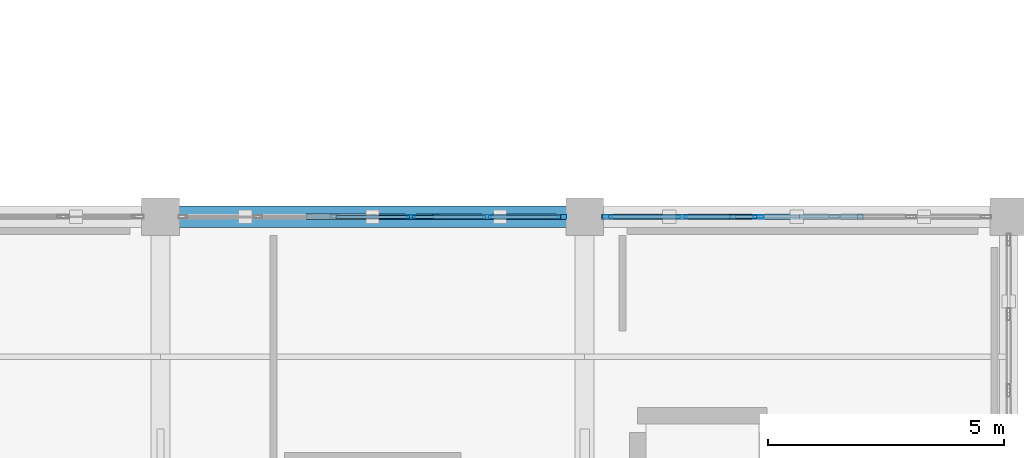
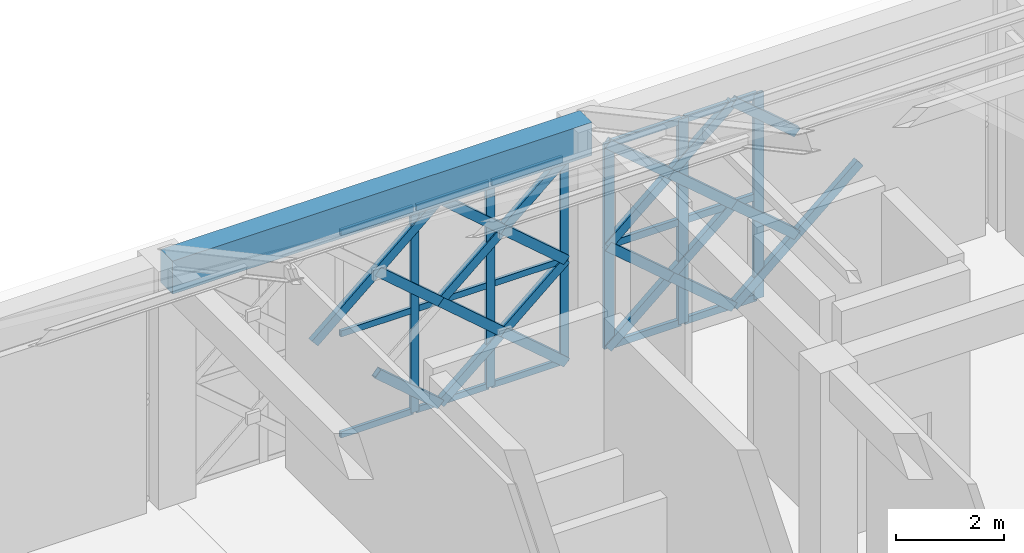
# One storey, part 59 of 86: 39 members, 1 beam, 2 elements without a shape of their own.
"""IFC4 building model written with IfcOpenShell, lengths in metres."""

from ifc_helpers import new_model, si_unit, direction, frame, origin, origin_2d, place, context, subcontext, project, spatial, rectangle, hollow_rectangle, extrude, material, material_profile, profile_set, type_object, element, aggregate, save


model = new_model("IFC4")

# Units and contexts
model_context = context("Model", 3, precision=1e-05, world=origin(), true_north=direction((0.0, 1.0)))
body_context = subcontext(model_context, "Body", "Model", "MODEL_VIEW")
ifc_project = project(units=[si_unit("LENGTHUNIT", "METRE"), si_unit("AREAUNIT", "SQUARE_METRE"), si_unit("VOLUMEUNIT", "CUBIC_METRE"), si_unit("PLANEANGLEUNIT", "RADIAN"), si_unit("MASSUNIT", "GRAM", prefix="KILO")], contexts=[model_context])

# Site, building, storey
site_placement = place(None, origin())
site = spatial("IfcSite", under=ifc_project, at=site_placement, CompositionType="ELEMENT")
building_placement = place(site_placement, origin())
building = spatial("IfcBuilding", under=site, at=building_placement, Name="Haizhuo Lancet Aquarium", CompositionType="ELEMENT")
storey_placement = place(building_placement, frame((0.0, 0.0, 16.199951171875)))
storey = spatial("IfcBuildingStorey", under=building, at=storey_placement, Name="L03", CompositionType="ELEMENT", Elevation=16.199951171875)

# Beam
ifc_material_1 = material(Name="Concrete C40/50", Category="concrete")
ifc_material_profile_1 = material_profile(ifc_material_1, rectangle(XDim=0.449951171875, YDim=0.75, at=origin_2d()), Name="RC-BM 450x750")
ifc_profile_set_1 = profile_set([ifc_material_profile_1], Name="Concrete C40/50")
beam_type = type_object("IfcBeamType", Name="BM-RC-450x750", PredefinedType="BEAM", material=ifc_profile_set_1)
beam_placement = place(storey_placement, frame((54.0, -9.0, 5.025146484375), z_axis=(1.0, 0.0, 0.0), x_axis=(0.0, 1.0, 0.0)))
element("IfcBeam", 1, at=beam_placement, inside=storey, type_object=beam_type, Name="L03 V3 primary girder BM-L03-V3-025", PredefinedType="BEAM", context=body_context, shape_type="SweptSolid", body=[
    extrude(rectangle(XDim=0.449951171875, YDim=0.75, at=origin_2d()), origin(), (0.0, 0.0, 1.0), 9.0),
])

# Curtain wall, members
ifc_material_2 = material(Name="Aluminium 6063-T6", Category="aluminium")
curtain_wall_type = type_object("IfcCurtainWallType", Name="CWO-8110x4650", PredefinedType="NOTDEFINED", material=ifc_material_2)
curtain_wall_1_placement = place(storey_placement, origin())
curtain_wall_1 = element("IfcCurtainWall", 2, at=curtain_wall_1_placement, inside=storey, type_object=curtain_wall_type, Name="L03 curtain wall CW-V3-L03-070", PredefinedType="NOTDEFINED")
ifc_material_profile_2 = material_profile(ifc_material_2, hollow_rectangle(XDim=0.06494140625, YDim=0.179931640625, WallThickness=0.00390625, at=origin_2d()), Name="ALU-M 65x180x4")
ifc_profile_set_2 = profile_set([ifc_material_profile_2], Name="Aluminium 6063-T6")
member_type_1 = type_object("IfcMemberType", Name="CW-MUL-1", PredefinedType="MULLION", material=ifc_profile_set_2)
member_1_placement = place(storey_placement, frame((59.31103515625, -9.0, 0.0), z_axis=(0.0, 0.0, 1.0), x_axis=(0.0, 1.0, 0.0)))
member_1 = element("IfcMember", 3, at=member_1_placement, type_object=member_type_1, Name="CWO-81x46 mullion 4", PredefinedType="MULLION", context=body_context, shape_type="SweptSolid", body=[
    extrude(hollow_rectangle(XDim=0.06494140625, YDim=0.179931640625, WallThickness=0.00390625, at=origin_2d()), origin(), (0.0, 0.0, 1.0), 4.650146484375),
])
member_2_placement = place(storey_placement, frame((60.93310546875, -9.0, 0.0), z_axis=(0.0, 0.0, 1.0), x_axis=(0.0, 1.0, 0.0)))
member_2 = element("IfcMember", 4, at=member_2_placement, type_object=member_type_1, Name="CWO-81x46 mullion 5", PredefinedType="MULLION", context=body_context, shape_type="SweptSolid", body=[
    extrude(hollow_rectangle(XDim=0.06494140625, YDim=0.179931640625, WallThickness=0.00390625, at=origin_2d()), origin(), (0.0, 0.0, 1.0), 4.650146484375),
])
member_3_placement = place(storey_placement, frame((62.52294921875, -9.0, 0.0), z_axis=(0.0, 0.0, 1.0), x_axis=(0.0, 1.0, 0.0)))
member_3 = element("IfcMember", 5, at=member_3_placement, type_object=member_type_1, Name="CWO-81x46 mullion 6", PredefinedType="MULLION", context=body_context, shape_type="SweptSolid", body=[
    extrude(hollow_rectangle(XDim=0.06494140625, YDim=0.179931640625, WallThickness=0.00390625, at=origin_2d()), origin(), (0.0, 0.0, 1.0), 4.650146484375),
])

curtain_wall_2_placement = place(storey_placement, origin())
curtain_wall_2 = element("IfcCurtainWall", 6, at=curtain_wall_2_placement, inside=storey, type_object=curtain_wall_type, Name="L03 curtain wall CW-V3-L03-071", PredefinedType="NOTDEFINED")
ifc_material_profile_3 = material_profile(ifc_material_2, hollow_rectangle(XDim=0.074951171875, YDim=0.219970703125, WallThickness=0.0048828125, at=origin_2d()), Name="ALU-M 75x220x5")
ifc_profile_set_3 = profile_set([ifc_material_profile_3], Name="Aluminium 6063-T6")
member_type_2 = type_object("IfcMemberType", Name="CW-MUL-2", PredefinedType="MULLION", material=ifc_profile_set_3)
member_4_placement = place(storey_placement, frame((63.48291015625, -9.0, 0.0), z_axis=(0.0, 0.0, 1.0), x_axis=(0.0, 1.0, 0.0)))
member_4 = element("IfcMember", 7, at=member_4_placement, type_object=member_type_2, Name="CWO-81x46 mullion 1", PredefinedType="MULLION", context=body_context, shape_type="SweptSolid", body=[
    extrude(hollow_rectangle(XDim=0.074951171875, YDim=0.219970703125, WallThickness=0.0048828125, at=origin_2d()), origin(), (0.0, 0.0, 1.0), 4.650146484375),
])
member_5_placement = place(storey_placement, frame((65.06689453125, -9.0, 0.0), z_axis=(0.0, 0.0, 1.0), x_axis=(0.0, 1.0, 0.0)))
member_5 = element("IfcMember", 8, at=member_5_placement, type_object=member_type_2, Name="CWO-81x46 mullion 2", PredefinedType="MULLION", context=body_context, shape_type="SweptSolid", body=[
    extrude(hollow_rectangle(XDim=0.074951171875, YDim=0.219970703125, WallThickness=0.0048828125, at=origin_2d()), origin(), (0.0, 0.0, 1.0), 4.650146484375),
])
member_6_placement = place(storey_placement, frame((66.68896484375, -9.0, 0.0), z_axis=(0.0, 0.0, 1.0), x_axis=(0.0, 1.0, 0.0)))
member_6 = element("IfcMember", 9, at=member_6_placement, type_object=member_type_2, Name="CWO-81x46 mullion 3", PredefinedType="MULLION", context=body_context, shape_type="SweptSolid", body=[
    extrude(hollow_rectangle(XDim=0.074951171875, YDim=0.219970703125, WallThickness=0.0048828125, at=origin_2d()), origin(), (0.0, 0.0, 1.0), 4.650146484375),
])

# Member
ifc_material_profile_4 = material_profile(ifc_material_2, hollow_rectangle(XDim=0.06494140625, YDim=0.139892578125, WallThickness=0.00390625, at=origin_2d()), Name="ALU-T 65x140x4")
ifc_profile_set_4 = profile_set([ifc_material_profile_4], Name="Aluminium 6063-T6")
member_type_3 = type_object("IfcMemberType", Name="CW-TRN-1", PredefinedType="NOTDEFINED", material=ifc_profile_set_4)
member_7_placement = place(storey_placement, frame((57.720947265625, -9.0, 0.031982421875), z_axis=(1.0, 0.0, 0.0), x_axis=(0.0, 1.0, 0.0)))
member_7 = element("IfcMember", 10, at=member_7_placement, type_object=member_type_3, Name="CWO-81x46 transom 3.1", ObjectType="TRANSOM", PredefinedType="USERDEFINED", context=body_context, shape_type="SweptSolid", body=[
    extrude(hollow_rectangle(XDim=0.06494140625, YDim=0.139892578125, WallThickness=0.00390625, at=origin_2d()), origin(), (0.0, 0.0, 1.0), 1.55810546875),
])

member_8_placement = place(storey_placement, frame((57.720947265625, -9.0, 2.324951171875), z_axis=(1.0, 0.0, 0.0), x_axis=(0.0, 1.0, 0.0)))
member_8 = element("IfcMember", 11, at=member_8_placement, type_object=member_type_3, Name="CWO-81x46 transom 3.2", ObjectType="TRANSOM", PredefinedType="USERDEFINED", context=body_context, shape_type="SweptSolid", body=[
    extrude(hollow_rectangle(XDim=0.06494140625, YDim=0.139892578125, WallThickness=0.00390625, at=origin_2d()), origin(), (0.0, 0.0, 1.0), 1.55810546875),
])

member_9_placement = place(storey_placement, frame((57.720947265625, -9.0, 4.6181640625), z_axis=(1.0, 0.0, 0.0), x_axis=(0.0, 1.0, 0.0)))
member_9 = element("IfcMember", 12, at=member_9_placement, type_object=member_type_3, Name="CWO-81x46 transom 3.3", ObjectType="TRANSOM", PredefinedType="USERDEFINED", context=body_context, shape_type="SweptSolid", body=[
    extrude(hollow_rectangle(XDim=0.06494140625, YDim=0.139892578125, WallThickness=0.00390625, at=origin_2d()), origin(), (0.0, 0.0, 1.0), 1.55810546875),
])

member_10_placement = place(storey_placement, frame((59.343017578125, -9.0, 0.031982421875), z_axis=(1.0, 0.0, 0.0), x_axis=(0.0, 1.0, 0.0)))
member_10 = element("IfcMember", 13, at=member_10_placement, type_object=member_type_3, Name="CWO-81x46 transom 4.1", ObjectType="TRANSOM", PredefinedType="USERDEFINED", context=body_context, shape_type="SweptSolid", body=[
    extrude(hollow_rectangle(XDim=0.06494140625, YDim=0.139892578125, WallThickness=0.00390625, at=origin_2d()), origin(), (0.0, 0.0, 1.0), 1.557861328125),
])

member_11_placement = place(storey_placement, frame((59.343017578125, -9.0, 2.324951171875), z_axis=(1.0, 0.0, 0.0), x_axis=(0.0, 1.0, 0.0)))
member_11 = element("IfcMember", 14, at=member_11_placement, type_object=member_type_3, Name="CWO-81x46 transom 4.2", ObjectType="TRANSOM", PredefinedType="USERDEFINED", context=body_context, shape_type="SweptSolid", body=[
    extrude(hollow_rectangle(XDim=0.06494140625, YDim=0.139892578125, WallThickness=0.00390625, at=origin_2d()), origin(), (0.0, 0.0, 1.0), 1.557861328125),
])

member_12_placement = place(storey_placement, frame((59.343017578125, -9.0, 4.6181640625), z_axis=(1.0, 0.0, 0.0), x_axis=(0.0, 1.0, 0.0)))
member_12 = element("IfcMember", 15, at=member_12_placement, type_object=member_type_3, Name="CWO-81x46 transom 4.3", ObjectType="TRANSOM", PredefinedType="USERDEFINED", context=body_context, shape_type="SweptSolid", body=[
    extrude(hollow_rectangle(XDim=0.06494140625, YDim=0.139892578125, WallThickness=0.00390625, at=origin_2d()), origin(), (0.0, 0.0, 1.0), 1.557861328125),
])

member_13_placement = place(storey_placement, frame((60.965087890625, -9.0, 0.031982421875), z_axis=(1.0, 0.0, 0.0), x_axis=(0.0, 1.0, 0.0)))
member_13 = element("IfcMember", 16, at=member_13_placement, type_object=member_type_3, Name="CWO-81x46 transom 5.1", ObjectType="TRANSOM", PredefinedType="USERDEFINED", context=body_context, shape_type="SweptSolid", body=[
    extrude(hollow_rectangle(XDim=0.06494140625, YDim=0.139892578125, WallThickness=0.00390625, at=origin_2d()), origin(), (0.0, 0.0, 1.0), 1.52490234375),
])

member_14_placement = place(storey_placement, frame((60.965087890625, -9.0, 2.324951171875), z_axis=(1.0, 0.0, 0.0), x_axis=(0.0, 1.0, 0.0)))
member_14 = element("IfcMember", 17, at=member_14_placement, type_object=member_type_3, Name="CWO-81x46 transom 5.2", ObjectType="TRANSOM", PredefinedType="USERDEFINED", context=body_context, shape_type="SweptSolid", body=[
    extrude(hollow_rectangle(XDim=0.06494140625, YDim=0.139892578125, WallThickness=0.00390625, at=origin_2d()), origin(), (0.0, 0.0, 1.0), 1.52490234375),
])

member_15_placement = place(storey_placement, frame((60.965087890625, -9.0, 4.6181640625), z_axis=(1.0, 0.0, 0.0), x_axis=(0.0, 1.0, 0.0)))
member_15 = element("IfcMember", 18, at=member_15_placement, type_object=member_type_3, Name="CWO-81x46 transom 5.3", ObjectType="TRANSOM", PredefinedType="USERDEFINED", context=body_context, shape_type="SweptSolid", body=[
    extrude(hollow_rectangle(XDim=0.06494140625, YDim=0.139892578125, WallThickness=0.00390625, at=origin_2d()), origin(), (0.0, 0.0, 1.0), 1.52490234375),
])

aggregate(curtain_wall_1, [member_1, member_2, member_3, member_7, member_8, member_9, member_10, member_11, member_12, member_13, member_14, member_15])

ifc_material_profile_5 = material_profile(ifc_material_2, hollow_rectangle(XDim=0.074951171875, YDim=0.159912109375, WallThickness=0.00390625, at=origin_2d()), Name="ALU-T 75x160x4")
ifc_profile_set_5 = profile_set([ifc_material_profile_5], Name="Aluminium 6063-T6")
member_type_4 = type_object("IfcMemberType", Name="CW-TRN-2", PredefinedType="NOTDEFINED", material=ifc_profile_set_5)
member_16_placement = place(storey_placement, frame((63.52001953125, -9.0, 0.0380859375), z_axis=(1.0, 0.0, 0.0), x_axis=(0.0, 1.0, 0.0)))
member_16 = element("IfcMember", 19, at=member_16_placement, type_object=member_type_4, Name="CWO-81x46 transom 1.1", ObjectType="TRANSOM", PredefinedType="USERDEFINED", context=body_context, shape_type="SweptSolid", body=[
    extrude(hollow_rectangle(XDim=0.074951171875, YDim=0.159912109375, WallThickness=0.00390625, at=origin_2d()), origin(), (0.0, 0.0, 1.0), 1.509033203125),
])

member_17_placement = place(storey_placement, frame((63.52001953125, -9.0, 2.324951171875), z_axis=(1.0, 0.0, 0.0), x_axis=(0.0, 1.0, 0.0)))
member_17 = element("IfcMember", 20, at=member_17_placement, type_object=member_type_4, Name="CWO-81x46 transom 1.2", ObjectType="TRANSOM", PredefinedType="USERDEFINED", context=body_context, shape_type="SweptSolid", body=[
    extrude(hollow_rectangle(XDim=0.074951171875, YDim=0.159912109375, WallThickness=0.00390625, at=origin_2d()), origin(), (0.0, 0.0, 1.0), 1.509033203125),
])

member_18_placement = place(storey_placement, frame((63.52001953125, -9.0, 4.612060546875), z_axis=(1.0, 0.0, 0.0), x_axis=(0.0, 1.0, 0.0)))
member_18 = element("IfcMember", 21, at=member_18_placement, type_object=member_type_4, Name="CWO-81x46 transom 1.3", ObjectType="TRANSOM", PredefinedType="USERDEFINED", context=body_context, shape_type="SweptSolid", body=[
    extrude(hollow_rectangle(XDim=0.074951171875, YDim=0.159912109375, WallThickness=0.00390625, at=origin_2d()), origin(), (0.0, 0.0, 1.0), 1.509033203125),
])

member_19_placement = place(storey_placement, frame((65.10498046875, -9.0, 0.0380859375), z_axis=(1.0, 0.0, 0.0), x_axis=(0.0, 1.0, 0.0)))
member_19 = element("IfcMember", 22, at=member_19_placement, type_object=member_type_4, Name="CWO-81x46 transom 2.1", ObjectType="TRANSOM", PredefinedType="USERDEFINED", context=body_context, shape_type="SweptSolid", body=[
    extrude(hollow_rectangle(XDim=0.074951171875, YDim=0.159912109375, WallThickness=0.00390625, at=origin_2d()), origin(), (0.0, 0.0, 1.0), 1.5458984375),
])

member_20_placement = place(storey_placement, frame((65.10498046875, -9.0, 2.324951171875), z_axis=(1.0, 0.0, 0.0), x_axis=(0.0, 1.0, 0.0)))
member_20 = element("IfcMember", 23, at=member_20_placement, type_object=member_type_4, Name="CWO-81x46 transom 2.2", ObjectType="TRANSOM", PredefinedType="USERDEFINED", context=body_context, shape_type="SweptSolid", body=[
    extrude(hollow_rectangle(XDim=0.074951171875, YDim=0.159912109375, WallThickness=0.00390625, at=origin_2d()), origin(), (0.0, 0.0, 1.0), 1.5458984375),
])

member_21_placement = place(storey_placement, frame((65.10498046875, -9.0, 4.612060546875), z_axis=(1.0, 0.0, 0.0), x_axis=(0.0, 1.0, 0.0)))
member_21 = element("IfcMember", 24, at=member_21_placement, type_object=member_type_4, Name="CWO-81x46 transom 2.3", ObjectType="TRANSOM", PredefinedType="USERDEFINED", context=body_context, shape_type="SweptSolid", body=[
    extrude(hollow_rectangle(XDim=0.074951171875, YDim=0.159912109375, WallThickness=0.00390625, at=origin_2d()), origin(), (0.0, 0.0, 1.0), 1.5458984375),
])

aggregate(curtain_wall_2, [member_4, member_5, member_6, member_16, member_17, member_18, member_19, member_20, member_21])

# Members
ifc_material_3 = material(Name="Steel S355", Category="steel")
ifc_material_profile_6 = material_profile(ifc_material_3, hollow_rectangle(XDim=0.1201171875, YDim=0.199951171875, WallThickness=0.008056640625, at=origin_2d()), Name="RHS 120x200x8")
ifc_profile_set_6 = profile_set([ifc_material_profile_6], Name="Steel S355")
member_type_5 = type_object("IfcMemberType", Name="MEM-LB-RHS120x200", PredefinedType="BRACE", material=ifc_profile_set_6)
member_22_placement = place(storey_placement, frame((59.85205078125, -9.0, 0.0), z_axis=(-0.758366597375, 0.0, 0.651828277989), x_axis=(0.0, -1.0, 0.0)))
element("IfcMember", 25, at=member_22_placement, inside=storey, type_object=member_type_5, Name="Gothic lancet split diagonal brace CW-V3-L03-070 3B1", PredefinedType="BRACE", context=body_context, shape_type="SweptSolid", body=[
    extrude(hollow_rectangle(XDim=0.1201171875, YDim=0.199951171875, WallThickness=0.008056640625, at=origin_2d()), origin(), (0.0, 0.0, 1.0), 1.782958984375),
])
member_23_placement = place(storey_placement, frame((57.14794921875, -9.0, 2.324951171875), z_axis=(0.758231220788, 0.0, 0.651985748175), x_axis=(0.0, 1.0, 0.0)))
element("IfcMember", 26, at=member_23_placement, inside=storey, type_object=member_type_5, Name="Gothic lancet continuous diagonal brace CW-V3-L03-070 4A", PredefinedType="BRACE", context=body_context, shape_type="SweptSolid", body=[
    extrude(hollow_rectangle(XDim=0.1201171875, YDim=0.199951171875, WallThickness=0.008056640625, at=origin_2d()), origin(), (0.0, 0.0, 1.0), 3.56640625),
])
member_24_placement = place(storey_placement, frame((59.85205078125, -9.0, 2.324951171875), z_axis=(-0.75809585985, 0.0, 0.652143134042), x_axis=(0.0, -1.0, 0.0)))
element("IfcMember", 27, at=member_24_placement, inside=storey, type_object=member_type_5, Name="Gothic lancet split diagonal brace CW-V3-L03-070 4B1", PredefinedType="BRACE", context=body_context, shape_type="SweptSolid", body=[
    extrude(hollow_rectangle(XDim=0.1201171875, YDim=0.199951171875, WallThickness=0.008056640625, at=origin_2d()), origin(), (0.0, 0.0, 1.0), 1.783447265625),
])
member_25_placement = place(storey_placement, frame((59.85205078125, -9.0, 0.0), z_axis=(0.758119517235, 0.0, 0.652115632068), x_axis=(0.0, 1.0, 0.0)))
element("IfcMember", 28, at=member_25_placement, inside=storey, type_object=member_type_5, Name="Gothic lancet continuous diagonal brace CW-V3-L03-070 5A", PredefinedType="BRACE", context=body_context, shape_type="SweptSolid", body=[
    extrude(hollow_rectangle(XDim=0.1201171875, YDim=0.199951171875, WallThickness=0.008056640625, at=origin_2d()), origin(), (0.0, 0.0, 1.0), 3.565185546875),
])
member_26_placement = place(storey_placement, frame((62.554931640625, -9.0, 0.0), z_axis=(-0.758366597375, 0.0, 0.651828277989), x_axis=(0.0, -1.0, 0.0)))
element("IfcMember", 29, at=member_26_placement, inside=storey, type_object=member_type_5, Name="Gothic lancet split diagonal brace CW-V3-L03-070 5B1", PredefinedType="BRACE", context=body_context, shape_type="SweptSolid", body=[
    extrude(hollow_rectangle(XDim=0.1201171875, YDim=0.199951171875, WallThickness=0.008056640625, at=origin_2d()), origin(), (0.0, 0.0, 1.0), 1.782958984375),
])
member_27_placement = place(storey_placement, frame((61.202880859375, -9.0, 1.162109375), z_axis=(-0.757872266095, 0.0, 0.65240296465), x_axis=(0.0, -1.0, 0.0)))
element("IfcMember", 30, at=member_27_placement, inside=storey, type_object=member_type_5, Name="Gothic lancet split diagonal brace CW-V3-L03-070 5B2", PredefinedType="BRACE", context=body_context, shape_type="SweptSolid", body=[
    extrude(hollow_rectangle(XDim=0.1201171875, YDim=0.199951171875, WallThickness=0.008056640625, at=origin_2d()), origin(), (0.0, 0.0, 1.0), 1.782470703125),
])
member_28_placement = place(storey_placement, frame((59.85205078125, -9.0, 2.324951171875), z_axis=(0.758085663481, 0.0, 0.652154986812), x_axis=(0.0, 1.0, 0.0)))
element("IfcMember", 31, at=member_28_placement, inside=storey, type_object=member_type_5, Name="Gothic lancet continuous diagonal brace CW-V3-L03-070 6A", PredefinedType="BRACE", context=body_context, shape_type="SweptSolid", body=[
    extrude(hollow_rectangle(XDim=0.1201171875, YDim=0.199951171875, WallThickness=0.008056640625, at=origin_2d()), origin(), (0.0, 0.0, 1.0), 3.5654296875),
])
member_29_placement = place(storey_placement, frame((62.554931640625, -9.0, 2.324951171875), z_axis=(-0.75809585985, 0.0, 0.652143134042), x_axis=(0.0, -1.0, 0.0)))
element("IfcMember", 32, at=member_29_placement, inside=storey, type_object=member_type_5, Name="Gothic lancet split diagonal brace CW-V3-L03-070 6B1", PredefinedType="BRACE", context=body_context, shape_type="SweptSolid", body=[
    extrude(hollow_rectangle(XDim=0.1201171875, YDim=0.199951171875, WallThickness=0.008056640625, at=origin_2d()), origin(), (0.0, 0.0, 1.0), 1.783447265625),
])
member_30_placement = place(storey_placement, frame((61.202880859375, -9.0, 3.488037109375), z_axis=(-0.758075457988, 0.0, 0.652166849814), x_axis=(0.0, -1.0, 0.0)))
element("IfcMember", 33, at=member_30_placement, inside=storey, type_object=member_type_5, Name="Gothic lancet split diagonal brace CW-V3-L03-070 6B2", PredefinedType="BRACE", context=body_context, shape_type="SweptSolid", body=[
    extrude(hollow_rectangle(XDim=0.1201171875, YDim=0.199951171875, WallThickness=0.008056640625, at=origin_2d()), origin(), (0.0, 0.0, 1.0), 1.781982421875),
])
member_31_placement = place(storey_placement, frame((63.445068359375, -9.0, 0.0), z_axis=(0.758119517235, 0.0, 0.652115632068), x_axis=(0.0, 1.0, 0.0)))
element("IfcMember", 34, at=member_31_placement, inside=storey, type_object=member_type_5, Name="Gothic lancet continuous diagonal brace CW-V3-L03-071 1A", PredefinedType="BRACE", context=body_context, shape_type="SweptSolid", body=[
    extrude(hollow_rectangle(XDim=0.1201171875, YDim=0.199951171875, WallThickness=0.008056640625, at=origin_2d()), origin(), (0.0, 0.0, 1.0), 3.565185546875),
])
member_32_placement = place(storey_placement, frame((66.14794921875, -9.0, 0.0), z_axis=(-0.758366597375, 0.0, 0.651828277989), x_axis=(0.0, -1.0, 0.0)))
element("IfcMember", 35, at=member_32_placement, inside=storey, type_object=member_type_5, Name="Gothic lancet split diagonal brace CW-V3-L03-071 1B1", PredefinedType="BRACE", context=body_context, shape_type="SweptSolid", body=[
    extrude(hollow_rectangle(XDim=0.1201171875, YDim=0.199951171875, WallThickness=0.008056640625, at=origin_2d()), origin(), (0.0, 0.0, 1.0), 1.782958984375),
])
member_33_placement = place(storey_placement, frame((64.7958984375, -9.0, 1.162109375), z_axis=(-0.757872266095, 0.0, 0.65240296465), x_axis=(0.0, -1.0, 0.0)))
element("IfcMember", 36, at=member_33_placement, inside=storey, type_object=member_type_5, Name="Gothic lancet split diagonal brace CW-V3-L03-071 1B2", PredefinedType="BRACE", context=body_context, shape_type="SweptSolid", body=[
    extrude(hollow_rectangle(XDim=0.1201171875, YDim=0.199951171875, WallThickness=0.008056640625, at=origin_2d()), origin(), (0.0, 0.0, 1.0), 1.782470703125),
])
member_34_placement = place(storey_placement, frame((63.445068359375, -9.0, 2.324951171875), z_axis=(0.758085663481, 0.0, 0.652154986812), x_axis=(0.0, 1.0, 0.0)))
element("IfcMember", 37, at=member_34_placement, inside=storey, type_object=member_type_5, Name="Gothic lancet continuous diagonal brace CW-V3-L03-071 2A", PredefinedType="BRACE", context=body_context, shape_type="SweptSolid", body=[
    extrude(hollow_rectangle(XDim=0.1201171875, YDim=0.199951171875, WallThickness=0.008056640625, at=origin_2d()), origin(), (0.0, 0.0, 1.0), 3.5654296875),
])
member_35_placement = place(storey_placement, frame((66.14794921875, -9.0, 2.324951171875), z_axis=(-0.75809585985, 0.0, 0.652143134042), x_axis=(0.0, -1.0, 0.0)))
element("IfcMember", 38, at=member_35_placement, inside=storey, type_object=member_type_5, Name="Gothic lancet split diagonal brace CW-V3-L03-071 2B1", PredefinedType="BRACE", context=body_context, shape_type="SweptSolid", body=[
    extrude(hollow_rectangle(XDim=0.1201171875, YDim=0.199951171875, WallThickness=0.008056640625, at=origin_2d()), origin(), (0.0, 0.0, 1.0), 1.783447265625),
])
member_36_placement = place(storey_placement, frame((64.7958984375, -9.0, 3.488037109375), z_axis=(-0.758075457988, 0.0, 0.652166849814), x_axis=(0.0, -1.0, 0.0)))
element("IfcMember", 39, at=member_36_placement, inside=storey, type_object=member_type_5, Name="Gothic lancet split diagonal brace CW-V3-L03-071 2B2", PredefinedType="BRACE", context=body_context, shape_type="SweptSolid", body=[
    extrude(hollow_rectangle(XDim=0.1201171875, YDim=0.199951171875, WallThickness=0.008056640625, at=origin_2d()), origin(), (0.0, 0.0, 1.0), 1.781982421875),
])
member_37_placement = place(storey_placement, frame((66.14794921875, -9.0, 0.0), z_axis=(0.758265063468, 0.0, 0.651946388535), x_axis=(0.0, 1.0, 0.0)))
element("IfcMember", 40, at=member_37_placement, inside=storey, type_object=member_type_5, Name="Gothic lancet continuous diagonal brace CW-V3-L03-071 3A", PredefinedType="BRACE", context=body_context, shape_type="SweptSolid", body=[
    extrude(hollow_rectangle(XDim=0.1201171875, YDim=0.199951171875, WallThickness=0.008056640625, at=origin_2d()), origin(), (0.0, 0.0, 1.0), 3.566162109375),
])
member_38_placement = place(storey_placement, frame((67.5, -9.0, 1.162109375), z_axis=(-0.758163538361, 0.0, 0.652064451646), x_axis=(0.0, -1.0, 0.0)))
element("IfcMember", 41, at=member_38_placement, inside=storey, type_object=member_type_5, Name="Gothic lancet split diagonal brace CW-V3-L03-071 3B2", PredefinedType="BRACE", context=body_context, shape_type="SweptSolid", body=[
    extrude(hollow_rectangle(XDim=0.1201171875, YDim=0.199951171875, WallThickness=0.008056640625, at=origin_2d()), origin(), (0.0, 0.0, 1.0), 1.783203125),
])
member_39_placement = place(storey_placement, frame((67.5, -9.0, 3.488037109375), z_axis=(-0.758366597375, 0.0, 0.651828277989), x_axis=(0.0, -1.0, 0.0)))
element("IfcMember", 42, at=member_39_placement, inside=storey, type_object=member_type_5, Name="Gothic lancet split diagonal brace CW-V3-L03-071 4B2", PredefinedType="BRACE", context=body_context, shape_type="SweptSolid", body=[
    extrude(hollow_rectangle(XDim=0.1201171875, YDim=0.199951171875, WallThickness=0.008056640625, at=origin_2d()), origin(), (0.0, 0.0, 1.0), 1.782958984375),
])

save(model, "model.ifc")
